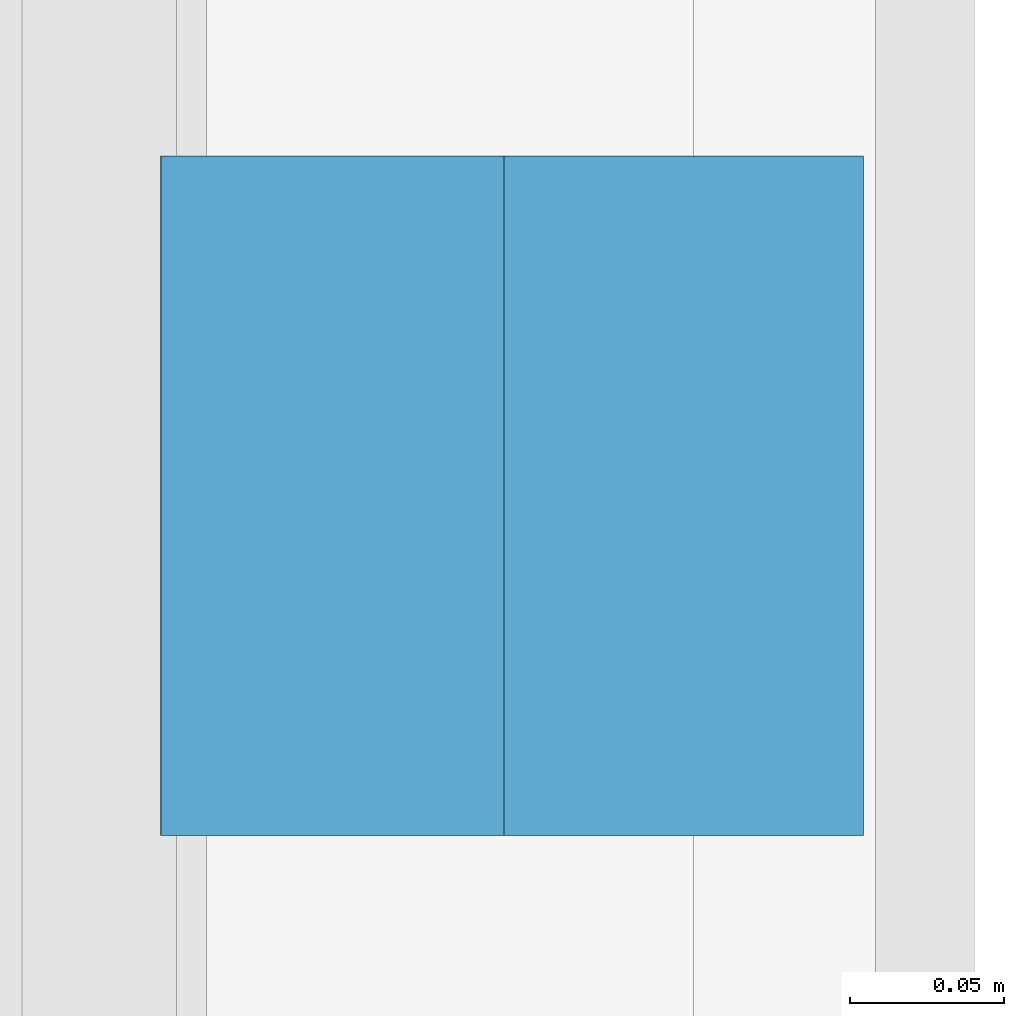
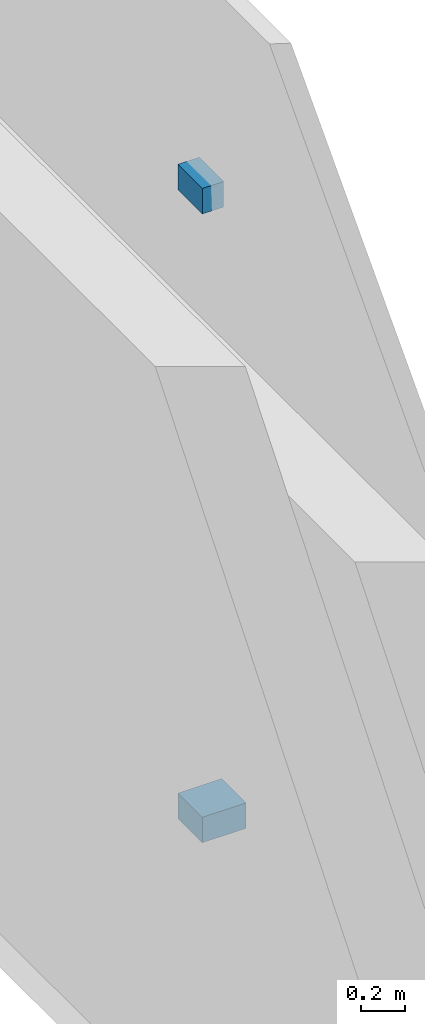
# One storey, part 56 of 66: 2 discrete accessories.
"""IFC4 building model written with IfcOpenShell, lengths in metres."""

import ifcopenshell
import ifcopenshell.guid

model = None  # the IFC model being written
_history = None  # IfcOwnerHistory: only IFC2X3 demands one
_inside = {}  # id of a spatial element -> (the spatial element, [elements in it])
_under = {}  # id of a project, library or spatial element -> (it, [spatial elements below it])
_declared = {}  # id of a project -> (the project, [libraries it declares])
_typed = {}  # id of a type object -> (the type object, [elements of that type])
_made_of = {}  # id of a material, layer set ... -> (it, [elements and type objects made of it])


def new_model(schema):
    """Start an empty IFC model of exactly this schema.

    Asked for "IFC4X3", IfcOpenShell would pick the latest addendum, in which some entities
    have other attributes; the version numbers below select the first issue.
    IFC2X3 requires an IfcOwnerHistory on every rooted entity: one is made here for all.
    """
    global model, _history
    if schema == "IFC4X3":
        model = ifcopenshell.file(schema_version=(4, 3, 0, 0))
    else:
        model = ifcopenshell.file(schema=schema)
    _inside.clear()
    _under.clear()
    _declared.clear()
    _typed.clear()
    _made_of.clear()
    _history = None
    if model.schema == "IFC2X3":
        org = make("IfcOrganization", Name="unknown")
        user = make(
            "IfcPersonAndOrganization",
            ThePerson=make("IfcPerson", FamilyName="unknown"),
            TheOrganization=org,
        )
        app = make(
            "IfcApplication",
            ApplicationDeveloper=org,
            Version="unknown",
            ApplicationFullName="unknown",
            ApplicationIdentifier="unknown",
        )
        _history = make(
            "IfcOwnerHistory",
            OwningUser=user,
            OwningApplication=app,
            ChangeAction="ADDED",
            CreationDate=0,
        )
    return model


def make(cls, **values):
    """One entity of the class cls with the attributes given. An attribute that is None is left unset."""
    return model.create_entity(
        cls, **{name: value for name, value in values.items() if value is not None}
    )


def rooted(cls, **values):
    """An entity with a GlobalId (a new one), such as an element, a storey or a relation."""
    return make(cls, GlobalId=ifcopenshell.guid.new(), OwnerHistory=_history, **values)


def si_unit(unit_type, name, prefix=None):
    """IfcSIUnit, for example si_unit("LENGTHUNIT", "METRE", prefix="MILLI")."""
    return make("IfcSIUnit", UnitType=unit_type, Prefix=prefix, Name=name)


def assignment(units):
    """IfcUnitAssignment: the units of a project."""
    return None if units is None else make("IfcUnitAssignment", Units=units)


def point(xyz):
    """IfcCartesianPoint."""
    return None if xyz is None else make("IfcCartesianPoint", Coordinates=xyz)


def direction(xyz):
    """IfcDirection."""
    return None if xyz is None else make("IfcDirection", DirectionRatios=xyz)


def frame(location, z_axis=None, x_axis=None):
    """IfcAxis2Placement3D, a coordinate frame: its origin and axes. An axis left out is left unset."""
    return make(
        "IfcAxis2Placement3D",
        Location=point(location),
        Axis=direction(z_axis),
        RefDirection=direction(x_axis),
    )


def frame_2d(location, x_axis=None):
    """IfcAxis2Placement2D, a coordinate frame in the plane: its origin and x axis."""
    return make(
        "IfcAxis2Placement2D", Location=point(location), RefDirection=direction(x_axis)
    )


def origin():
    """The frame at (0, 0, 0) with its axes left unset."""
    return frame((0.0, 0.0, 0.0))


def origin_2d():
    """The frame at (0, 0) in the plane with its x axis left unset."""
    return frame_2d((0.0, 0.0))


def place(relative_to, where):
    """IfcLocalPlacement: puts the frame where relative to a parent placement (None: the world)."""
    return make(
        "IfcLocalPlacement", PlacementRelTo=relative_to, RelativePlacement=where
    )


def context(
    kind, dimensions, precision=None, world=None, true_north=None, identifier=None
):
    """IfcGeometricRepresentationContext, for example the 3D "Model" context."""
    return make(
        "IfcGeometricRepresentationContext",
        ContextIdentifier=identifier,
        ContextType=kind,
        CoordinateSpaceDimension=dimensions,
        Precision=precision,
        WorldCoordinateSystem=world,
        TrueNorth=true_north,
    )


def subcontext(parent, identifier, kind, view, scale=None):
    """IfcGeometricRepresentationSubContext, for example "Body" below "Model"."""
    return make(
        "IfcGeometricRepresentationSubContext",
        ContextIdentifier=identifier,
        ContextType=kind,
        ParentContext=parent,
        TargetScale=scale,
        TargetView=view,
    )


def project(units=None, contexts=None):
    """IfcProject with its units and contexts."""
    return rooted(
        "IfcProject",
        Name="project",
        RepresentationContexts=contexts,
        UnitsInContext=assignment(units),
    )


def spatial(cls, under=None, at=None, **own):
    """A site, building, storey or space (cls), placed at a placement, below another one or the project."""
    s = rooted(cls, ObjectPlacement=at, **own)
    if under is not None:
        _under.setdefault(under.id(), (under, []))[1].append(s)
    return s


def profile(cls, at=None, kind="AREA", **sizes):
    """A parametric profile (cls). Its sizes go by their IFC names, for example OverallWidth=200.0."""
    return make(cls, ProfileType=kind, Position=at, **sizes)


def rectangle(**sizes):
    """IfcRectangleProfileDef."""
    return profile("IfcRectangleProfileDef", **sizes)


def extrude(swept, where, along, depth):
    """IfcExtrudedAreaSolid: the profile swept, set in the frame where, extruded along a direction by depth."""
    return make(
        "IfcExtrudedAreaSolid",
        SweptArea=swept,
        Position=where,
        ExtrudedDirection=direction(along),
        Depth=depth,
    )


def shape(context_of_items, identifier, shape_type, items):
    """IfcShapeRepresentation: the items that make up one representation, for example the "Body"."""
    return make(
        "IfcShapeRepresentation",
        ContextOfItems=context_of_items,
        RepresentationIdentifier=identifier,
        RepresentationType=shape_type,
        Items=items,
    )


def material(Name=None, Category=None):
    """IfcMaterial."""
    return make("IfcMaterial", Name=Name, Category=Category)


def layer(
    of_material, thickness, ventilated=None, Name=None, Category=None, Priority=None
):
    """IfcMaterialLayer: one layer of a wall or slab, of a material (None: an air gap)."""
    return make(
        "IfcMaterialLayer",
        Material=of_material,
        LayerThickness=thickness,
        IsVentilated=ventilated,
        Name=Name,
        Category=Category,
        Priority=Priority,
    )


def layer_set(layers, Name=None):
    """IfcMaterialLayerSet."""
    return make("IfcMaterialLayerSet", MaterialLayers=layers, LayerSetName=Name)


def made_of(thing, what):
    """Note that an element or type object is made of a material, layer set ...; save() writes the relation."""
    if what is not None:
        _made_of.setdefault(what.id(), (what, []))[1].append(thing)
    return thing


def type_object(cls, material=None, **own):
    """A type object (cls), such as IfcWallType, which elements share."""
    return made_of(rooted(cls, **own), material)


def element(
    cls,
    number,
    at=None,
    inside=None,
    cuts=None,
    type_object=None,
    material=None,
    context=None,
    identifier="Body",
    shape_type=None,
    held_by="IfcProductDefinitionShape",
    body=None,
    shapes=None,
    **own,
):
    """One element of the class cls, such as IfcWall. Its Tag is "e" and its number.

    at: its placement. inside: the storey or other place that contains it. cuts: it is an
    opening in that element (IfcRelVoidsElement). A single representation is given by context,
    identifier, shape_type and body (its items); several are given by shapes. held_by: the class
    of the entity that holds the representations. save() writes the other relations.
    """
    e = rooted(cls, Tag="e%d" % number, ObjectPlacement=at, **own)
    if body is not None:
        shapes = [shape(context, identifier, shape_type, body)]
    if shapes is not None:
        e.Representation = make(held_by, Representations=shapes)
    if inside is not None:
        _inside.setdefault(inside.id(), (inside, []))[1].append(e)
    if cuts is not None:
        rooted(
            "IfcRelVoidsElement", RelatingBuildingElement=cuts, RelatedOpeningElement=e
        )
    if type_object is not None:
        _typed.setdefault(type_object.id(), (type_object, []))[1].append(e)
    return made_of(e, material)


def aggregate(whole, parts):
    """IfcRelAggregates: a whole, such as a stair, and the parts it consists of."""
    return rooted("IfcRelAggregates", RelatingObject=whole, RelatedObjects=parts)


def save(model, path):
    """Write the relations noted so far, then the file.

    IfcRelAggregates (storeys below a building ...), IfcRelContainedInSpatialStructure (elements
    in a storey), IfcRelDefinesByType, IfcRelAssociatesMaterial and IfcRelDeclares: one each for
    every whole, place, type object, material and project.
    """
    for whole, parts in _under.values():
        aggregate(whole, parts)
    for where, things in _inside.values():
        rooted(
            "IfcRelContainedInSpatialStructure",
            RelatedElements=things,
            RelatingStructure=where,
        )
    for kind, things in _typed.values():
        rooted("IfcRelDefinesByType", RelatedObjects=things, RelatingType=kind)
    for what, things in _made_of.values():
        rooted("IfcRelAssociatesMaterial", RelatedObjects=things, RelatingMaterial=what)
    for by, libraries in _declared.values():
        rooted("IfcRelDeclares", RelatingContext=by, RelatedDefinitions=libraries)
    model.write(path)


model = new_model("IFC4")

# Units and contexts
model_context = context("Model", 3, precision=1e-05, world=origin(), true_north=direction((0.0, 1.0)))
body_context = subcontext(model_context, "Body", "Model", "MODEL_VIEW")
ifc_project = project(units=[si_unit("LENGTHUNIT", "METRE"), si_unit("AREAUNIT", "SQUARE_METRE"), si_unit("VOLUMEUNIT", "CUBIC_METRE"), si_unit("PLANEANGLEUNIT", "RADIAN"), si_unit("MASSUNIT", "GRAM", prefix="KILO")], contexts=[model_context])

# Site, building, storey
site_placement = place(None, origin())
site = spatial("IfcSite", under=ifc_project, at=site_placement, CompositionType="ELEMENT")
building_placement = place(site_placement, origin())
building = spatial("IfcBuilding", under=site, at=building_placement, Name="Narikvali Park Central Library", CompositionType="ELEMENT")
storey_placement = place(building_placement, frame((0.0, 0.0, 18.60009765625)))
storey = spatial("IfcBuildingStorey", under=building, at=storey_placement, Name="L04", CompositionType="ELEMENT", Elevation=18.60009765625)

# Discrete accessories
ifc_material = material(Name="Brushed Stainless Steel S355", Category="steel")
ifc_layer = layer(ifc_material, 0.139892578125, Name="Brushed Stainless Steel S355")
ifc_layer_set = layer_set([ifc_layer], Name="Brushed Stainless Steel S355")
discrete_accessory_type = type_object("IfcDiscreteAccessoryType", Name="Cladding Stainless Tie-Back Corbel Bracket", PredefinedType="BRACKET", material=ifc_layer_set)
discrete_accessory_1_placement = place(storey_placement, frame((57.86376953125, 97.199951171875, 0.40478515625), z_axis=(0.0, 0.0, 1.0), x_axis=(1.0, 0.0, 0.0)))
element("IfcDiscreteAccessory", 1, at=discrete_accessory_1_placement, inside=storey, type_object=discrete_accessory_type, Name="Limestone Cladding Tie-Back Bracket V4-CLD-L04-E-B06-SP", PredefinedType="BRACKET", context=body_context, shape_type="SweptSolid", body=[
    extrude(rectangle(XDim=0.2275390625, YDim=0.219970703125, at=origin_2d()), origin(), (0.0, 0.0, 1.0), 0.139892578125),
])
discrete_accessory_2_placement = place(storey_placement, frame((57.8056640625, 97.199951171875, 3.85498046875), z_axis=(0.0, 0.0, 1.0), x_axis=(1.0, 0.0, 0.0)))
element("IfcDiscreteAccessory", 2, at=discrete_accessory_2_placement, inside=storey, type_object=discrete_accessory_type, Name="Limestone Cladding Tie-Back Bracket V4-CLD-L04-E-B06-LN", PredefinedType="BRACKET", context=body_context, shape_type="SweptSolid", body=[
    extrude(rectangle(XDim=0.111083984375, YDim=0.219970703125, at=origin_2d()), origin(), (0.0, 0.0, 1.0), 0.139892578125),
])

save(model, "model.ifc")
